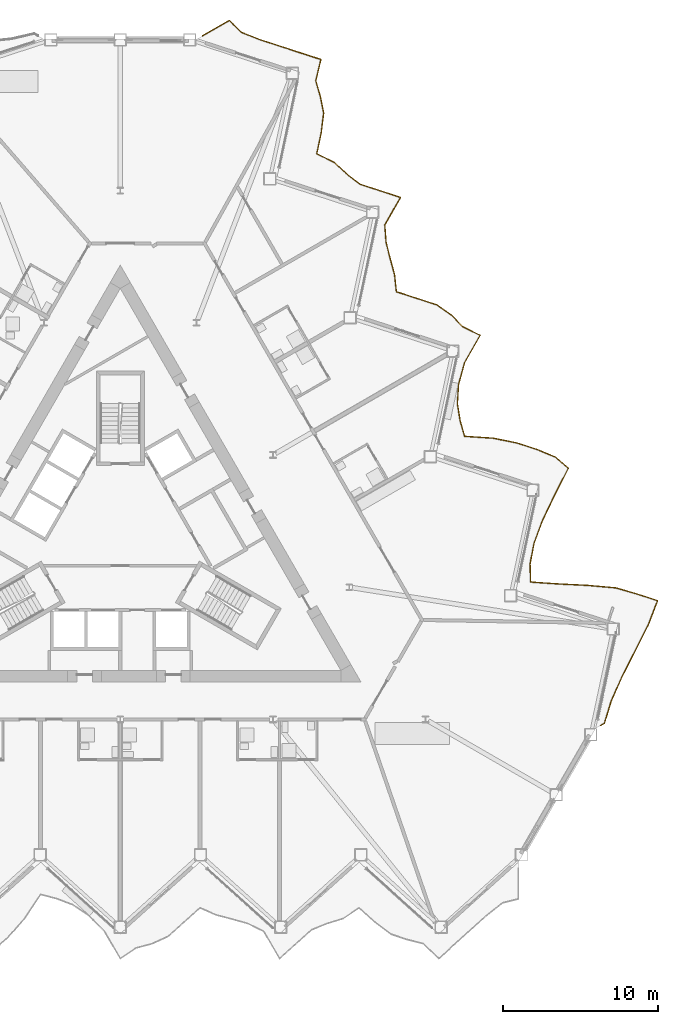
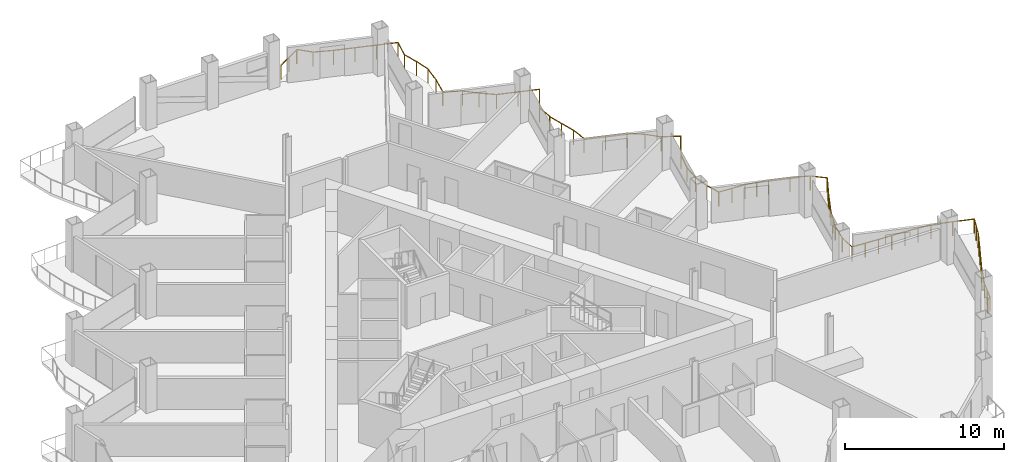
# One storey, part 21 of 23: 1 railing.
"""IFC4 building model written with IfcOpenShell, lengths in metres."""

from ifc_helpers import new_model, si_unit, direction, frame, origin, origin_2d, place, context, subcontext, project, spatial, circle, extrude, material, type_object, element, save


model = new_model("IFC4")

# Units and contexts
model_context = context("Model", 3, precision=1e-05, world=origin(), true_north=direction((0.0, 1.0)))
body_context = subcontext(model_context, "Body", "Model", "MODEL_VIEW")
ifc_project = project(units=[si_unit("LENGTHUNIT", "METRE"), si_unit("AREAUNIT", "SQUARE_METRE"), si_unit("VOLUMEUNIT", "CUBIC_METRE"), si_unit("PLANEANGLEUNIT", "RADIAN"), si_unit("MASSUNIT", "GRAM", prefix="KILO")], contexts=[model_context])

# Site, building, storey
site_placement = place(None, origin())
site = spatial("IfcSite", under=ifc_project, at=site_placement, CompositionType="ELEMENT")
building_placement = place(site_placement, origin())
building = spatial("IfcBuilding", under=site, at=building_placement, Name="Cormorant Prow Tower", CompositionType="ELEMENT")
storey_placement = place(building_placement, frame((0.0, 0.0, 183.60009765625)))
storey = spatial("IfcBuildingStorey", under=building, at=storey_placement, Name="L39", CompositionType="ELEMENT", Elevation=183.60009765625)

# Railing
ifc_material = material(Name="Aluminium 6063-T6", Category="aluminium")
railing_type = type_object("IfcRailingType", Name="Balcony guard 1100", PredefinedType="GUARDRAIL", material=ifc_material)
railing_placement = place(storey_placement, frame((30.9365234375, -11.740234375, 0.0)))
element("IfcRailing", 1, at=railing_placement, inside=storey, type_object=railing_type, Name="Balcony guard ENE", PredefinedType="GUARDRAIL", context=body_context, shape_type="SweptSolid", body=[
    extrude(circle(Radius=0.02392578125, at=origin_2d()), frame((0.0, 0.0, 1.076171875), z_axis=(0.866065156741, 0.499931139538, 0.0), x_axis=(-0.499931139538, 0.866065156741, 0.0)), (0.0, 0.0, 1.0), 0.27001953125),
    extrude(circle(Radius=0.02392578125, at=origin_2d()), frame((0.23388671875, 0.135009765625, 1.076171875), z_axis=(0.293516032745, 0.955954150847, 0.0), x_axis=(-0.955954150847, 0.293516032745, 0.0)), (0.0, 0.0, 1.0), 1.505615234375),
    extrude(circle(Radius=0.02392578125, at=origin_2d()), frame((0.67578125, 1.57421875, 1.076171875), z_axis=(0.406008472679, 0.913869312382, 0.0), x_axis=(-0.913869312382, 0.406008472679, 0.0)), (0.0, 0.0, 1.0), 1.74267578125),
    extrude(circle(Radius=0.02392578125, at=origin_2d()), frame((1.38330078125, 3.166748046875, 1.076171875), z_axis=(0.453484375537, 0.891264226335, 0.0), x_axis=(-0.891264226335, 0.453484375537, 0.0)), (0.0, 0.0, 1.0), 1.881103515625),
    extrude(circle(Radius=0.02392578125, at=origin_2d()), frame((2.236328125, 4.84326171875, 1.076171875), z_axis=(0.448208464574, 0.893929064459, 0.0), x_axis=(-0.893929064459, 0.448208464574, 0.0)), (0.0, 0.0, 1.0), 1.864501953125),
    extrude(circle(Radius=0.02392578125, at=origin_2d()), frame((3.072021484375, 6.510009765625, 1.076171875), z_axis=(0.360150924711, 0.932894051556, 0.0), x_axis=(-0.932894051556, 0.360150924711, 0.0)), (0.0, 0.0, 1.0), 1.633056640625),
    extrude(circle(Radius=0.02392578125, at=origin_2d()), frame((3.66015625, 8.033447265625, 1.076171875), z_axis=(-0.951096454731, 0.308894049472, 0.0), x_axis=(-0.308894049472, -0.951096454731, 0.0)), (0.0, 0.0, 1.0), 1.3798828125),
    extrude(circle(Radius=0.02392578125, at=origin_2d()), frame((2.34765625, 8.459716796875, 1.076171875), z_axis=(-0.959696633934, 0.28103802379, 0.0), x_axis=(-0.28103802379, -0.959696633934, 0.0)), (0.0, 0.0, 1.0), 1.417724609375),
    extrude(circle(Radius=0.02392578125, at=origin_2d()), frame((0.987060546875, 8.858154296875, 1.076171875), z_axis=(-0.99596256154, 0.089769571736, 0.0), x_axis=(-0.089769571736, -0.99596256154, 0.0)), (0.0, 0.0, 1.0), 1.78125),
    extrude(circle(Radius=0.02392578125, at=origin_2d()), frame((-0.787109375, 9.01806640625, 1.076171875), z_axis=(-0.99876998627, 0.04958340979, 0.0), x_axis=(-0.04958340979, -0.99876998627, 0.0)), (0.0, 0.0, 1.0), 1.890869140625),
    extrude(circle(Radius=0.02392578125, at=origin_2d()), frame((-2.675537109375, 9.11181640625, 1.076171875), z_axis=(-0.997766351323, 0.066800510237, 0.0), x_axis=(-0.066800510237, -0.997766351323, 0.0)), (0.0, 0.0, 1.0), 1.842041015625),
    extrude(circle(Radius=0.02392578125, at=origin_2d()), frame((-4.513427734375, 9.23486328125, 1.076171875), z_axis=(-0.031903113576, 0.999490966114, 0.0), x_axis=(-0.999490966114, -0.031903113576, 0.0)), (0.0, 0.0, 1.0), 1.1630859375),
    extrude(circle(Radius=0.02392578125, at=origin_2d()), frame((-4.550537109375, 10.3974609375, 1.076171875), z_axis=(0.189294523256, 0.98192035495, 0.0), x_axis=(-0.98192035495, 0.189294523256, 0.0)), (0.0, 0.0, 1.0), 1.356689453125),
    extrude(circle(Radius=0.02392578125, at=origin_2d()), frame((-4.293701171875, 11.729736328125, 1.076171875), z_axis=(0.348075950724, 0.937466336744, 0.0), x_axis=(-0.937466336744, 0.348075950724, 0.0)), (0.0, 0.0, 1.0), 1.607666015625),
    extrude(circle(Radius=0.02392578125, at=origin_2d()), frame((-3.734130859375, 13.23681640625, 1.076171875), z_axis=(0.432140689655, 0.901806201101, 0.0), x_axis=(-0.901806201101, 0.432140689655, 0.0)), (0.0, 0.0, 1.0), 1.815185546875),
    extrude(circle(Radius=0.02392578125, at=origin_2d()), frame((-2.94970703125, 14.873779296875, 1.076171875), z_axis=(0.457394618231, 0.889263832174, 0.0), x_axis=(-0.889263832174, 0.457394618231, 0.0)), (0.0, 0.0, 1.0), 1.893798828125),
    extrude(circle(Radius=0.02392578125, at=origin_2d()), frame((-2.08349609375, 16.557861328125, 1.076171875), z_axis=(-0.753552441172, 0.657387799098, 0.0), x_axis=(-0.657387799098, -0.753552441172, 0.0)), (0.0, 0.0, 1.0), 1.083984375),
    extrude(circle(Radius=0.02392578125, at=origin_2d()), frame((-2.900390625, 17.2705078125, 1.076171875), z_axis=(-0.923138487325, 0.384467597099, 0.0), x_axis=(-0.384467597099, -0.923138487325, 0.0)), (0.0, 0.0, 1.0), 1.290283203125),
    extrude(circle(Radius=0.02392578125, at=origin_2d()), frame((-4.091552734375, 17.7666015625, 1.076171875), z_axis=(-0.951027567221, 0.309106076267, 0.0), x_axis=(-0.309106076267, -0.951027567221, 0.0)), (0.0, 0.0, 1.0), 1.3798828125),
    extrude(circle(Radius=0.02392578125, at=origin_2d()), frame((-5.40380859375, 18.193115234375, 1.076171875), z_axis=(-0.980659137752, 0.195723415928, 0.0), x_axis=(-0.195723415928, -0.980659137752, 0.0)), (0.0, 0.0, 1.0), 1.55419921875),
    extrude(circle(Radius=0.02392578125, at=origin_2d()), frame((-6.927978515625, 18.497314453125, 1.076171875), z_axis=(-0.997805037739, 0.066220137891, 0.0), x_axis=(-0.066220137891, -0.997805037739, 0.0)), (0.0, 0.0, 1.0), 1.843505859375),
    extrude(circle(Radius=0.02392578125, at=origin_2d()), frame((-8.767333984375, 18.619384765625, 1.076171875), z_axis=(-0.273104735549, 0.961984305184, 0.0), x_axis=(-0.961984305184, -0.273104735549, 0.0)), (0.0, 0.0, 1.0), 1.0576171875),
    extrude(circle(Radius=0.02392578125, at=origin_2d()), frame((-9.05615234375, 19.63671875, 1.076171875), z_axis=(-0.157435427354, 0.987529283725, 0.0), x_axis=(-0.987529283725, -0.157435427354, 0.0)), (0.0, 0.0, 1.0), 1.097900390625),
    extrude(circle(Radius=0.02392578125, at=origin_2d()), frame((-9.22900390625, 20.720947265625, 1.076171875), z_axis=(0.060956655483, 0.998140414046, 0.0), x_axis=(-0.998140414046, 0.060956655483, 0.0)), (0.0, 0.0, 1.0), 1.2294921875),
    extrude(circle(Radius=0.02392578125, at=origin_2d()), frame((-9.154052734375, 21.9482421875, 1.076171875), z_axis=(0.263259196573, 0.96472513983, 0.0), x_axis=(-0.96472513983, 0.263259196573, 0.0)), (0.0, 0.0, 1.0), 1.45703125),
    extrude(circle(Radius=0.02392578125, at=origin_2d()), frame((-8.7705078125, 23.353759765625, 1.076171875), z_axis=(0.495453233492, 0.868634614451, 0.0), x_axis=(-0.868634614451, 0.495453233492, 0.0)), (0.0, 0.0, 1.0), 2.03271484375),
    extrude(circle(Radius=0.02392578125, at=origin_2d()), frame((-7.763427734375, 25.119384765625, 1.076171875), z_axis=(-0.896556330996, 0.442929729586, 0.0), x_axis=(-0.442929729586, -0.896556330996, 0.0)), (0.0, 0.0, 1.0), 1.232421875),
    extrude(circle(Radius=0.02392578125, at=origin_2d()), frame((-8.868408203125, 25.665283203125, 1.076171875), z_axis=(-0.704570306459, 0.709634189746, 0.0), x_axis=(-0.709634189746, -0.704570306459, 0.0)), (0.0, 0.0, 1.0), 1.060546875),
    extrude(circle(Radius=0.02392578125, at=origin_2d()), frame((-9.61572265625, 26.41796875, 1.076171875), z_axis=(-0.813000196815, 0.582263411163, 0.0), x_axis=(-0.582263411163, -0.813000196815, 0.0)), (0.0, 0.0, 1.0), 1.125732421875),
    extrude(circle(Radius=0.02392578125, at=origin_2d()), frame((-10.531005859375, 27.073486328125, 1.076171875), z_axis=(-0.951044468521, 0.309054071151, 0.0), x_axis=(-0.309054071151, -0.951044468521, 0.0)), (0.0, 0.0, 1.0), 1.380126953125),
    extrude(circle(Radius=0.02392578125, at=origin_2d()), frame((-11.843505859375, 27.5, 1.076171875), z_axis=(-0.951079570005, 0.308946033345, 0.0), x_axis=(-0.308946033345, -0.951079570005, 0.0)), (0.0, 0.0, 1.0), 1.379638671875),
    extrude(circle(Radius=0.02392578125, at=origin_2d()), frame((-13.15576171875, 27.92626953125, 1.076171875), z_axis=(-0.10851798639, 0.994094485766, 0.0), x_axis=(-0.994094485766, -0.10851798639, 0.0)), (0.0, 0.0, 1.0), 1.120361328125),
    extrude(circle(Radius=0.02392578125, at=origin_2d()), frame((-13.27734375, 29.0400390625, 1.076171875), z_axis=(-0.263877179936, 0.964556288616, 0.0), x_axis=(-0.964556288616, -0.263877179936, 0.0)), (0.0, 0.0, 1.0), 1.060302734375),
    extrude(circle(Radius=0.02392578125, at=origin_2d()), frame((-13.55712890625, 30.062744140625, 1.076171875), z_axis=(-0.244906747851, 0.969546638825, 0.0), x_axis=(-0.969546638825, -0.244906747851, 0.0)), (0.0, 0.0, 1.0), 1.065673828125),
    extrude(circle(Radius=0.02392578125, at=origin_2d()), frame((-13.818115234375, 31.095947265625, 1.076171875), z_axis=(-0.074645969894, 0.997210097812, 0.0), x_axis=(-0.997210097812, -0.074645969894, 0.0)), (0.0, 0.0, 1.0), 1.13818359375),
    extrude(circle(Radius=0.02392578125, at=origin_2d()), frame((-13.903076171875, 32.23095703125, 1.076171875), z_axis=(0.496861152108, 0.867830049909, 0.0), x_axis=(-0.867830049909, 0.496861152108, 0.0)), (0.0, 0.0, 1.0), 2.0380859375),
    extrude(circle(Radius=0.02392578125, at=origin_2d()), frame((-12.890380859375, 33.999755859375, 1.076171875), z_axis=(-0.951079570005, 0.308946033345, 0.0), x_axis=(-0.308946033345, -0.951079570005, 0.0)), (0.0, 0.0, 1.0), 1.379638671875),
    extrude(circle(Radius=0.02392578125, at=origin_2d()), frame((-14.20263671875, 34.426025390625, 1.076171875), z_axis=(-0.951044468521, 0.309054071151, 0.0), x_axis=(-0.309054071151, -0.951044468521, 0.0)), (0.0, 0.0, 1.0), 1.380126953125),
    extrude(circle(Radius=0.02392578125, at=origin_2d()), frame((-15.51513671875, 34.8525390625, 1.076171875), z_axis=(-0.786464009692, 0.617636107639, 0.0), x_axis=(-0.617636107639, -0.786464009692, 0.0)), (0.0, 0.0, 1.0), 1.104736328125),
    extrude(circle(Radius=0.02392578125, at=origin_2d()), frame((-16.384033203125, 35.534912109375, 1.076171875), z_axis=(-0.73419294038, 0.678940885715, 0.0), x_axis=(-0.678940885715, -0.73419294038, 0.0)), (0.0, 0.0, 1.0), 1.07373046875),
    extrude(circle(Radius=0.02392578125, at=origin_2d()), frame((-17.17236328125, 36.263916015625, 1.076171875), z_axis=(-0.898420732639, 0.439135727497, 0.0), x_axis=(-0.439135727497, -0.898420732639, 0.0)), (0.0, 0.0, 1.0), 1.23583984375),
    extrude(circle(Radius=0.02392578125, at=origin_2d()), frame((-18.28271484375, 36.806640625, 1.076171875), z_axis=(0.207873566928, 0.97815570344, 0.0), x_axis=(-0.97815570344, 0.207873566928, 0.0)), (0.0, 0.0, 1.0), 1.3798828125),
    extrude(circle(Radius=0.02392578125, at=origin_2d()), frame((-17.995849609375, 38.156494140625, 1.076171875), z_axis=(0.1220457222, 0.99252447914, 0.0), x_axis=(-0.99252447914, 0.1220457222, 0.0)), (0.0, 0.0, 1.0), 1.2841796875),
    extrude(circle(Radius=0.02392578125, at=origin_2d()), frame((-17.839111328125, 39.43115234375, 1.076171875), z_axis=(-0.196029372676, 0.980598024191, 0.0), x_axis=(-0.980598024191, -0.196029372676, 0.0)), (0.0, 0.0, 1.0), 1.082275390625),
    extrude(circle(Radius=0.02392578125, at=origin_2d()), frame((-18.05126953125, 40.492431640625, 1.076171875), z_axis=(-0.276795561182, 0.960928830513, 0.0), x_axis=(-0.960928830513, -0.276795561182, 0.0)), (0.0, 0.0, 1.0), 1.056640625),
    extrude(circle(Radius=0.02392578125, at=origin_2d()), frame((-18.34375, 41.5078125, 1.076171875), z_axis=(0.231238316369, 0.972897137956, 0.0), x_axis=(-0.972897137956, 0.231238316369, 0.0)), (0.0, 0.0, 1.0), 1.41064453125),
    extrude(circle(Radius=0.02392578125, at=origin_2d()), frame((-18.017578125, 42.880126953125, 1.076171875), z_axis=(-0.951027567221, 0.309106076267, 0.0), x_axis=(-0.309106076267, -0.951027567221, 0.0)), (0.0, 0.0, 1.0), 1.3798828125),
    extrude(circle(Radius=0.02392578125, at=origin_2d()), frame((-19.329833984375, 43.306640625, 1.076171875), z_axis=(-0.951079570005, 0.308946033345, 0.0), x_axis=(-0.308946033345, -0.951079570005, 0.0)), (0.0, 0.0, 1.0), 1.379638671875),
    extrude(circle(Radius=0.02392578125, at=origin_2d()), frame((-20.64208984375, 43.73291015625, 1.076171875), z_axis=(-0.951027567221, 0.309106076267, 0.0), x_axis=(-0.309106076267, -0.951027567221, 0.0)), (0.0, 0.0, 1.0), 1.3798828125),
    extrude(circle(Radius=0.02392578125, at=origin_2d()), frame((-21.954345703125, 44.159423828125, 1.076171875), z_axis=(-0.929859808769, 0.367914033486, 0.0), x_axis=(-0.367914033486, -0.929859808769, 0.0)), (0.0, 0.0, 1.0), 1.30859375),
    extrude(circle(Radius=0.02392578125, at=origin_2d()), frame((-23.171142578125, 44.640869140625, 1.076171875), z_axis=(-0.696877293375, 0.717190377779, 0.0), x_axis=(-0.717190377779, -0.696877293375, 0.0)), (0.0, 0.0, 1.0), 1.0576171875),
    extrude(circle(Radius=0.02392578125, at=origin_2d()), frame((-23.908203125, 45.3994140625, 1.076171875), z_axis=(-0.866042919053, -0.499969661438, 0.0), x_axis=(0.499969661438, -0.866042919053, 0.0)), (0.0, 0.0, 1.0), 1.99462890625),
    extrude(circle(Radius=0.02099609375, at=origin_2d()), origin(), (0.0, 0.0, 1.0), 1.052001953125),
    extrude(circle(Radius=0.02099609375, at=origin_2d()), frame((0.23388671875, 0.135009765625, 0.0)), (0.0, 0.0, 1.0), 1.052001953125),
    extrude(circle(Radius=0.02099609375, at=origin_2d()), frame((0.454833984375, 0.8544921875, 0.0)), (0.0, 0.0, 1.0), 1.052001953125),
    extrude(circle(Radius=0.02099609375, at=origin_2d()), frame((0.67578125, 1.57421875, 0.0)), (0.0, 0.0, 1.0), 1.052001953125),
    extrude(circle(Radius=0.02099609375, at=origin_2d()), frame((1.029541015625, 2.37060546875, 0.0)), (0.0, 0.0, 1.0), 1.052001953125),
    extrude(circle(Radius=0.02099609375, at=origin_2d()), frame((1.38330078125, 3.166748046875, 0.0)), (0.0, 0.0, 1.0), 1.052001953125),
    extrude(circle(Radius=0.02099609375, at=origin_2d()), frame((1.809814453125, 4.0048828125, 0.0)), (0.0, 0.0, 1.0), 1.052001953125),
    extrude(circle(Radius=0.02099609375, at=origin_2d()), frame((2.236328125, 4.84326171875, 0.0)), (0.0, 0.0, 1.0), 1.052001953125),
    extrude(circle(Radius=0.02099609375, at=origin_2d()), frame((2.654296875, 5.6767578125, 0.0)), (0.0, 0.0, 1.0), 1.052001953125),
    extrude(circle(Radius=0.02099609375, at=origin_2d()), frame((3.072021484375, 6.510009765625, 0.0)), (0.0, 0.0, 1.0), 1.052001953125),
    extrude(circle(Radius=0.02099609375, at=origin_2d()), frame((3.3662109375, 7.271728515625, 0.0)), (0.0, 0.0, 1.0), 1.052001953125),
    extrude(circle(Radius=0.02099609375, at=origin_2d()), frame((3.66015625, 8.033447265625, 0.0)), (0.0, 0.0, 1.0), 1.052001953125),
    extrude(circle(Radius=0.02099609375, at=origin_2d()), frame((2.34765625, 8.459716796875, 0.0)), (0.0, 0.0, 1.0), 1.052001953125),
    extrude(circle(Radius=0.02099609375, at=origin_2d()), frame((0.987060546875, 8.858154296875, 0.0)), (0.0, 0.0, 1.0), 1.052001953125),
    extrude(circle(Radius=0.02099609375, at=origin_2d()), frame((0.10009765625, 8.93798828125, 0.0)), (0.0, 0.0, 1.0), 1.052001953125),
    extrude(circle(Radius=0.02099609375, at=origin_2d()), frame((-0.787109375, 9.01806640625, 0.0)), (0.0, 0.0, 1.0), 1.052001953125),
    extrude(circle(Radius=0.02099609375, at=origin_2d()), frame((-1.7314453125, 9.06494140625, 0.0)), (0.0, 0.0, 1.0), 1.052001953125),
    extrude(circle(Radius=0.02099609375, at=origin_2d()), frame((-2.675537109375, 9.11181640625, 0.0)), (0.0, 0.0, 1.0), 1.052001953125),
    extrude(circle(Radius=0.02099609375, at=origin_2d()), frame((-3.594482421875, 9.17333984375, 0.0)), (0.0, 0.0, 1.0), 1.052001953125),
    extrude(circle(Radius=0.02099609375, at=origin_2d()), frame((-4.513427734375, 9.23486328125, 0.0)), (0.0, 0.0, 1.0), 1.052001953125),
    extrude(circle(Radius=0.02099609375, at=origin_2d()), frame((-4.550537109375, 10.3974609375, 0.0)), (0.0, 0.0, 1.0), 1.052001953125),
    extrude(circle(Radius=0.02099609375, at=origin_2d()), frame((-4.293701171875, 11.729736328125, 0.0)), (0.0, 0.0, 1.0), 1.052001953125),
    extrude(circle(Radius=0.02099609375, at=origin_2d()), frame((-4.013916015625, 12.4833984375, 0.0)), (0.0, 0.0, 1.0), 1.052001953125),
    extrude(circle(Radius=0.02099609375, at=origin_2d()), frame((-3.734130859375, 13.23681640625, 0.0)), (0.0, 0.0, 1.0), 1.052001953125),
    extrude(circle(Radius=0.02099609375, at=origin_2d()), frame((-3.341796875, 14.05517578125, 0.0)), (0.0, 0.0, 1.0), 1.052001953125),
    extrude(circle(Radius=0.02099609375, at=origin_2d()), frame((-2.94970703125, 14.873779296875, 0.0)), (0.0, 0.0, 1.0), 1.052001953125),
    extrude(circle(Radius=0.02099609375, at=origin_2d()), frame((-2.5166015625, 15.7158203125, 0.0)), (0.0, 0.0, 1.0), 1.052001953125),
    extrude(circle(Radius=0.02099609375, at=origin_2d()), frame((-2.08349609375, 16.557861328125, 0.0)), (0.0, 0.0, 1.0), 1.052001953125),
    extrude(circle(Radius=0.02099609375, at=origin_2d()), frame((-2.900390625, 17.2705078125, 0.0)), (0.0, 0.0, 1.0), 1.052001953125),
    extrude(circle(Radius=0.02099609375, at=origin_2d()), frame((-4.091552734375, 17.7666015625, 0.0)), (0.0, 0.0, 1.0), 1.052001953125),
    extrude(circle(Radius=0.02099609375, at=origin_2d()), frame((-5.40380859375, 18.193115234375, 0.0)), (0.0, 0.0, 1.0), 1.052001953125),
    extrude(circle(Radius=0.02099609375, at=origin_2d()), frame((-6.166015625, 18.34521484375, 0.0)), (0.0, 0.0, 1.0), 1.052001953125),
    extrude(circle(Radius=0.02099609375, at=origin_2d()), frame((-6.927978515625, 18.497314453125, 0.0)), (0.0, 0.0, 1.0), 1.052001953125),
    extrude(circle(Radius=0.02099609375, at=origin_2d()), frame((-7.84765625, 18.558349609375, 0.0)), (0.0, 0.0, 1.0), 1.052001953125),
    extrude(circle(Radius=0.02099609375, at=origin_2d()), frame((-8.767333984375, 18.619384765625, 0.0)), (0.0, 0.0, 1.0), 1.052001953125),
    extrude(circle(Radius=0.02099609375, at=origin_2d()), frame((-9.05615234375, 19.63671875, 0.0)), (0.0, 0.0, 1.0), 1.052001953125),
    extrude(circle(Radius=0.02099609375, at=origin_2d()), frame((-9.22900390625, 20.720947265625, 0.0)), (0.0, 0.0, 1.0), 1.052001953125),
    extrude(circle(Radius=0.02099609375, at=origin_2d()), frame((-9.154052734375, 21.9482421875, 0.0)), (0.0, 0.0, 1.0), 1.052001953125),
    extrude(circle(Radius=0.02099609375, at=origin_2d()), frame((-8.7705078125, 23.353759765625, 0.0)), (0.0, 0.0, 1.0), 1.052001953125),
    extrude(circle(Radius=0.02099609375, at=origin_2d()), frame((-8.26708984375, 24.236572265625, 0.0)), (0.0, 0.0, 1.0), 1.052001953125),
    extrude(circle(Radius=0.02099609375, at=origin_2d()), frame((-7.763427734375, 25.119384765625, 0.0)), (0.0, 0.0, 1.0), 1.052001953125),
    extrude(circle(Radius=0.02099609375, at=origin_2d()), frame((-8.868408203125, 25.665283203125, 0.0)), (0.0, 0.0, 1.0), 1.052001953125),
    extrude(circle(Radius=0.02099609375, at=origin_2d()), frame((-9.61572265625, 26.41796875, 0.0)), (0.0, 0.0, 1.0), 1.052001953125),
    extrude(circle(Radius=0.02099609375, at=origin_2d()), frame((-10.531005859375, 27.073486328125, 0.0)), (0.0, 0.0, 1.0), 1.052001953125),
    extrude(circle(Radius=0.02099609375, at=origin_2d()), frame((-11.843505859375, 27.5, 0.0)), (0.0, 0.0, 1.0), 1.052001953125),
    extrude(circle(Radius=0.02099609375, at=origin_2d()), frame((-13.15576171875, 27.92626953125, 0.0)), (0.0, 0.0, 1.0), 1.052001953125),
    extrude(circle(Radius=0.02099609375, at=origin_2d()), frame((-13.27734375, 29.0400390625, 0.0)), (0.0, 0.0, 1.0), 1.052001953125),
    extrude(circle(Radius=0.02099609375, at=origin_2d()), frame((-13.55712890625, 30.062744140625, 0.0)), (0.0, 0.0, 1.0), 1.052001953125),
    extrude(circle(Radius=0.02099609375, at=origin_2d()), frame((-13.818115234375, 31.095947265625, 0.0)), (0.0, 0.0, 1.0), 1.052001953125),
    extrude(circle(Radius=0.02099609375, at=origin_2d()), frame((-13.903076171875, 32.23095703125, 0.0)), (0.0, 0.0, 1.0), 1.052001953125),
    extrude(circle(Radius=0.02099609375, at=origin_2d()), frame((-13.396728515625, 33.115234375, 0.0)), (0.0, 0.0, 1.0), 1.052001953125),
    extrude(circle(Radius=0.02099609375, at=origin_2d()), frame((-12.890380859375, 33.999755859375, 0.0)), (0.0, 0.0, 1.0), 1.052001953125),
    extrude(circle(Radius=0.02099609375, at=origin_2d()), frame((-14.20263671875, 34.426025390625, 0.0)), (0.0, 0.0, 1.0), 1.052001953125),
    extrude(circle(Radius=0.02099609375, at=origin_2d()), frame((-15.51513671875, 34.8525390625, 0.0)), (0.0, 0.0, 1.0), 1.052001953125),
    extrude(circle(Radius=0.02099609375, at=origin_2d()), frame((-16.384033203125, 35.534912109375, 0.0)), (0.0, 0.0, 1.0), 1.052001953125),
    extrude(circle(Radius=0.02099609375, at=origin_2d()), frame((-17.17236328125, 36.263916015625, 0.0)), (0.0, 0.0, 1.0), 1.052001953125),
    extrude(circle(Radius=0.02099609375, at=origin_2d()), frame((-18.28271484375, 36.806640625, 0.0)), (0.0, 0.0, 1.0), 1.052001953125),
    extrude(circle(Radius=0.02099609375, at=origin_2d()), frame((-17.995849609375, 38.156494140625, 0.0)), (0.0, 0.0, 1.0), 1.052001953125),
    extrude(circle(Radius=0.02099609375, at=origin_2d()), frame((-17.839111328125, 39.43115234375, 0.0)), (0.0, 0.0, 1.0), 1.052001953125),
    extrude(circle(Radius=0.02099609375, at=origin_2d()), frame((-18.05126953125, 40.492431640625, 0.0)), (0.0, 0.0, 1.0), 1.052001953125),
    extrude(circle(Radius=0.02099609375, at=origin_2d()), frame((-18.34375, 41.5078125, 0.0)), (0.0, 0.0, 1.0), 1.052001953125),
    extrude(circle(Radius=0.02099609375, at=origin_2d()), frame((-18.017578125, 42.880126953125, 0.0)), (0.0, 0.0, 1.0), 1.052001953125),
    extrude(circle(Radius=0.02099609375, at=origin_2d()), frame((-19.329833984375, 43.306640625, 0.0)), (0.0, 0.0, 1.0), 1.052001953125),
    extrude(circle(Radius=0.02099609375, at=origin_2d()), frame((-20.64208984375, 43.73291015625, 0.0)), (0.0, 0.0, 1.0), 1.052001953125),
    extrude(circle(Radius=0.02099609375, at=origin_2d()), frame((-21.954345703125, 44.159423828125, 0.0)), (0.0, 0.0, 1.0), 1.052001953125),
    extrude(circle(Radius=0.02099609375, at=origin_2d()), frame((-23.171142578125, 44.640869140625, 0.0)), (0.0, 0.0, 1.0), 1.052001953125),
    extrude(circle(Radius=0.02099609375, at=origin_2d()), frame((-23.908203125, 45.3994140625, 0.0)), (0.0, 0.0, 1.0), 1.052001953125),
    extrude(circle(Radius=0.02099609375, at=origin_2d()), frame((-24.77197265625, 44.90087890625, 0.0)), (0.0, 0.0, 1.0), 1.052001953125),
    extrude(circle(Radius=0.02099609375, at=origin_2d()), frame((-25.6357421875, 44.402099609375, 0.0)), (0.0, 0.0, 1.0), 1.052001953125),
])

save(model, "model.ifc")
